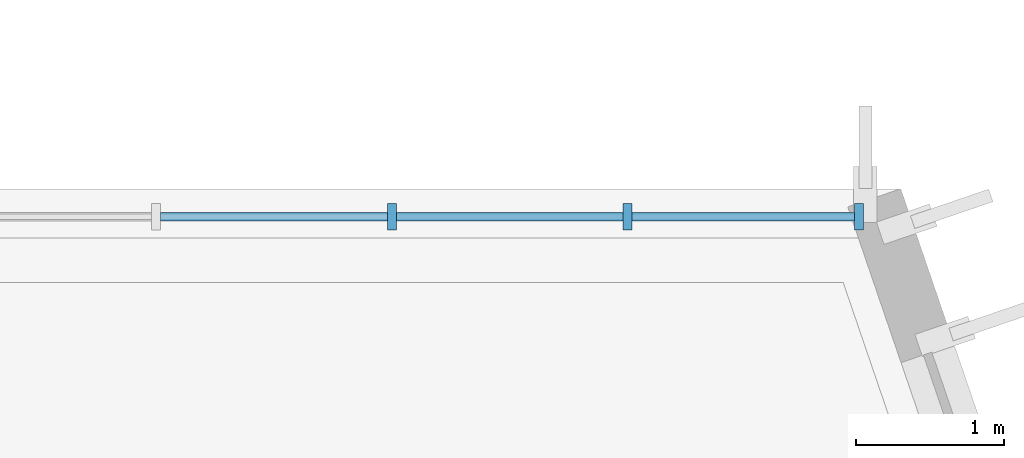
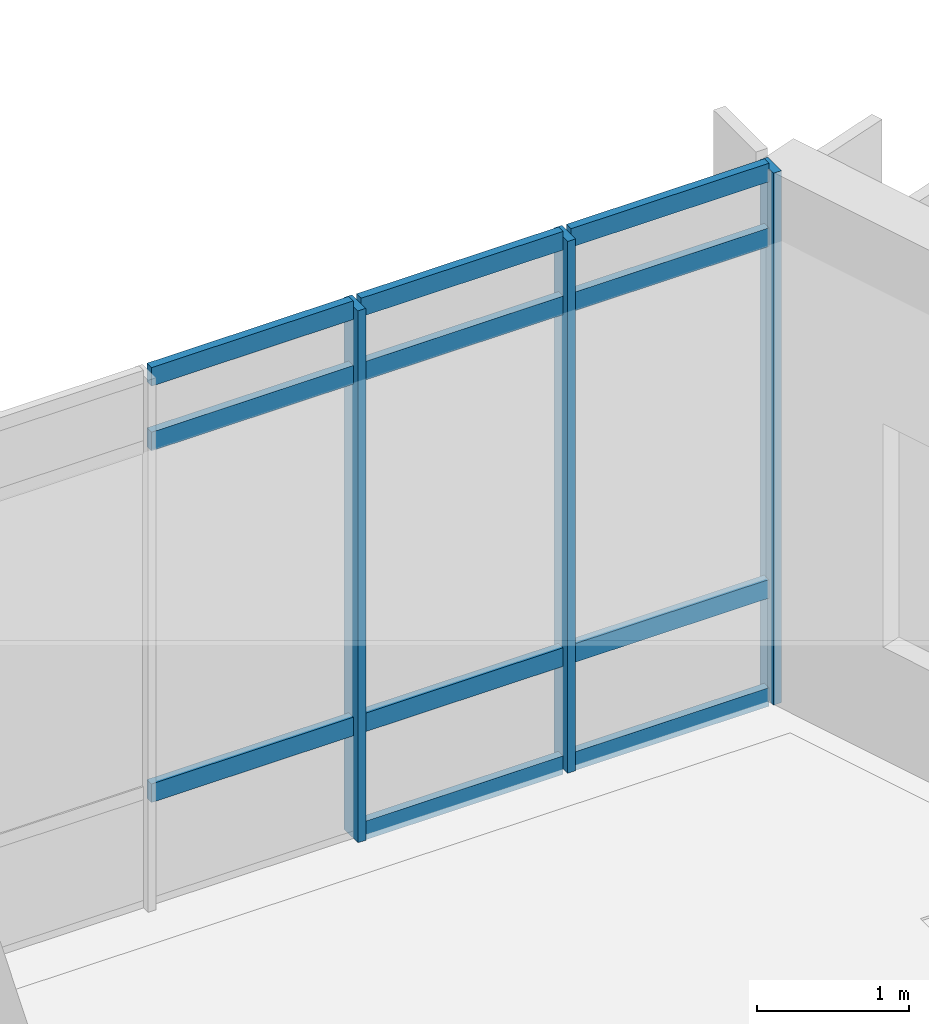
# One storey, part 28 of 62: 14 members, 1 element without a shape of its own.
"""IFC4 building model written with IfcOpenShell, lengths in metres."""

from ifc_helpers import new_model, si_unit, direction, frame, origin, origin_2d, place, context, subcontext, project, spatial, rectangle, extrude, material, material_profile, profile_set, type_object, element, aggregate, save


model = new_model("IFC4")

# Units and contexts
model_context = context("Model", 3, precision=1e-05, world=origin(), true_north=direction((0.0, 1.0)))
body_context = subcontext(model_context, "Body", "Model", "MODEL_VIEW")
ifc_project = project(units=[si_unit("LENGTHUNIT", "METRE"), si_unit("AREAUNIT", "SQUARE_METRE"), si_unit("VOLUMEUNIT", "CUBIC_METRE"), si_unit("PLANEANGLEUNIT", "RADIAN"), si_unit("MASSUNIT", "GRAM", prefix="KILO")], contexts=[model_context])

# Site, building, storey
site_placement = place(None, origin())
site = spatial("IfcSite", under=ifc_project, at=site_placement, CompositionType="ELEMENT")
building_placement = place(site_placement, origin())
building = spatial("IfcBuilding", under=site, at=building_placement, Name="Cymarion Research Institute", CompositionType="ELEMENT")
storey_placement = place(building_placement, frame((0.0, 0.0, 18.300048828125)))
storey = spatial("IfcBuildingStorey", under=building, at=storey_placement, Name="L04", CompositionType="ELEMENT", Elevation=18.300048828125)

# Curtain wall, members
ifc_material_1 = material(Name="Anodised aluminium unitised curtain wall with Low-E glazing", Category="aluminium")
curtain_wall_type = type_object("IfcCurtainWallType", Name="UNITISED CURTAIN WALL CW36 6390X4280", PredefinedType="NOTDEFINED", material=ifc_material_1)
curtain_wall_placement = place(storey_placement, origin())
curtain_wall = element("IfcCurtainWall", 1, at=curtain_wall_placement, inside=storey, type_object=curtain_wall_type, Name="L04 V1 unitised curtain wall CW36 #173", PredefinedType="NOTDEFINED")
ifc_material_2 = material(Name="Anodised aluminium framing", Category="aluminium")
ifc_material_profile_1 = material_profile(ifc_material_2, rectangle(XDim=0.06005859375, YDim=0.179931640625, at=origin_2d()), Name="ALU MULLION 60x180")
ifc_profile_set_1 = profile_set([ifc_material_profile_1], Name="Anodised aluminium framing")
member_type_1 = type_object("IfcMemberType", Name="CURTAIN WALL MULLION ML01 60X180", PredefinedType="MULLION", material=ifc_profile_set_1)
member_1_placement = place(storey_placement, frame((164.116455078125, 41.31005859375, 0.0), z_axis=(0.0, 0.0, 1.0), x_axis=(-1.0, 0.0, 0.0)))
member_1 = element("IfcMember", 2, at=member_1_placement, type_object=member_type_1, Name="CW36 mullion 1", PredefinedType="MULLION", context=body_context, shape_type="SweptSolid", body=[
    extrude(rectangle(XDim=0.06005859375, YDim=0.179931640625, at=origin_2d()), origin(), (0.0, 0.0, 1.0), 4.280029296875),
])
member_2_placement = place(storey_placement, frame((162.5498046875, 41.31005859375, 0.0), z_axis=(0.0, 0.0, 1.0), x_axis=(-1.0, 0.0, 0.0)))
member_2 = element("IfcMember", 3, at=member_2_placement, type_object=member_type_1, Name="CW36 mullion 2", PredefinedType="MULLION", context=body_context, shape_type="SweptSolid", body=[
    extrude(rectangle(XDim=0.06005859375, YDim=0.179931640625, at=origin_2d()), origin(), (0.0, 0.0, 1.0), 4.280029296875),
])
member_3_placement = place(storey_placement, frame((160.953125, 41.31005859375, 0.0), z_axis=(0.0, 0.0, 1.0), x_axis=(-1.0, 0.0, 0.0)))
member_3 = element("IfcMember", 4, at=member_3_placement, type_object=member_type_1, Name="CW36 mullion 3", PredefinedType="MULLION", context=body_context, shape_type="SweptSolid", body=[
    extrude(rectangle(XDim=0.06005859375, YDim=0.179931640625, at=origin_2d()), origin(), (0.0, 0.0, 1.0), 4.280029296875),
])
ifc_material_profile_2 = material_profile(ifc_material_2, rectangle(XDim=0.06005859375, YDim=0.14990234375, at=origin_2d()), Name="ALU TRANSOM 60x150")
ifc_profile_set_2 = profile_set([ifc_material_profile_2], Name="Anodised aluminium framing")
member_type_2 = type_object("IfcMemberType", Name="CURTAIN WALL TRANSOM TR01 60X150", PredefinedType="USERDEFINED", material=ifc_profile_set_2)
member_4_placement = place(storey_placement, frame((164.08642578125, 41.31005859375, 0.030029296875), z_axis=(-1.0, 0.0, 0.0), x_axis=(0.0, -1.0, 0.0)))
member_4 = element("IfcMember", 5, at=member_4_placement, type_object=member_type_2, Name="CW36 transom 1.1", ObjectType="TRANSOM", PredefinedType="USERDEFINED", context=body_context, shape_type="SweptSolid", body=[
    extrude(rectangle(XDim=0.06005859375, YDim=0.14990234375, at=origin_2d()), origin(), (0.0, 0.0, 1.0), 1.506591796875),
])
member_5_placement = place(storey_placement, frame((164.08642578125, 41.31005859375, 0.89990234375), z_axis=(-1.0, 0.0, 0.0), x_axis=(0.0, -1.0, 0.0)))
member_5 = element("IfcMember", 6, at=member_5_placement, type_object=member_type_2, Name="CW36 transom 1.2", ObjectType="TRANSOM", PredefinedType="USERDEFINED", context=body_context, shape_type="SweptSolid", body=[
    extrude(rectangle(XDim=0.06005859375, YDim=0.14990234375, at=origin_2d()), origin(), (0.0, 0.0, 1.0), 1.506591796875),
])
member_6_placement = place(storey_placement, frame((164.08642578125, 41.31005859375, 3.72998046875), z_axis=(-1.0, 0.0, 0.0), x_axis=(0.0, -1.0, 0.0)))
member_6 = element("IfcMember", 7, at=member_6_placement, type_object=member_type_2, Name="CW36 transom 1.3", ObjectType="TRANSOM", PredefinedType="USERDEFINED", context=body_context, shape_type="SweptSolid", body=[
    extrude(rectangle(XDim=0.06005859375, YDim=0.14990234375, at=origin_2d()), origin(), (0.0, 0.0, 1.0), 1.506591796875),
])
member_7_placement = place(storey_placement, frame((164.08642578125, 41.31005859375, 4.25), z_axis=(-1.0, 0.0, 0.0), x_axis=(0.0, -1.0, 0.0)))
member_7 = element("IfcMember", 8, at=member_7_placement, type_object=member_type_2, Name="CW36 transom 1.4", ObjectType="TRANSOM", PredefinedType="USERDEFINED", context=body_context, shape_type="SweptSolid", body=[
    extrude(rectangle(XDim=0.06005859375, YDim=0.14990234375, at=origin_2d()), origin(), (0.0, 0.0, 1.0), 1.506591796875),
])
member_8_placement = place(storey_placement, frame((162.519775390625, 41.31005859375, 0.030029296875), z_axis=(-1.0, 0.0, 0.0), x_axis=(0.0, -1.0, 0.0)))
member_8 = element("IfcMember", 9, at=member_8_placement, type_object=member_type_2, Name="CW36 transom 2.1", ObjectType="TRANSOM", PredefinedType="USERDEFINED", context=body_context, shape_type="SweptSolid", body=[
    extrude(rectangle(XDim=0.06005859375, YDim=0.14990234375, at=origin_2d()), origin(), (0.0, 0.0, 1.0), 1.53662109375),
])
member_9_placement = place(storey_placement, frame((162.519775390625, 41.31005859375, 0.89990234375), z_axis=(-1.0, 0.0, 0.0), x_axis=(0.0, -1.0, 0.0)))
member_9 = element("IfcMember", 10, at=member_9_placement, type_object=member_type_2, Name="CW36 transom 2.2", ObjectType="TRANSOM", PredefinedType="USERDEFINED", context=body_context, shape_type="SweptSolid", body=[
    extrude(rectangle(XDim=0.06005859375, YDim=0.14990234375, at=origin_2d()), origin(), (0.0, 0.0, 1.0), 1.53662109375),
])
member_10_placement = place(storey_placement, frame((162.519775390625, 41.31005859375, 3.72998046875), z_axis=(-1.0, 0.0, 0.0), x_axis=(0.0, -1.0, 0.0)))
member_10 = element("IfcMember", 11, at=member_10_placement, type_object=member_type_2, Name="CW36 transom 2.3", ObjectType="TRANSOM", PredefinedType="USERDEFINED", context=body_context, shape_type="SweptSolid", body=[
    extrude(rectangle(XDim=0.06005859375, YDim=0.14990234375, at=origin_2d()), origin(), (0.0, 0.0, 1.0), 1.53662109375),
])
member_11_placement = place(storey_placement, frame((162.519775390625, 41.31005859375, 4.25), z_axis=(-1.0, 0.0, 0.0), x_axis=(0.0, -1.0, 0.0)))
member_11 = element("IfcMember", 12, at=member_11_placement, type_object=member_type_2, Name="CW36 transom 2.4", ObjectType="TRANSOM", PredefinedType="USERDEFINED", context=body_context, shape_type="SweptSolid", body=[
    extrude(rectangle(XDim=0.06005859375, YDim=0.14990234375, at=origin_2d()), origin(), (0.0, 0.0, 1.0), 1.53662109375),
])
member_12_placement = place(storey_placement, frame((160.923095703125, 41.31005859375, 0.89990234375), z_axis=(-1.0, 0.0, 0.0), x_axis=(0.0, -1.0, 0.0)))
member_12 = element("IfcMember", 13, at=member_12_placement, type_object=member_type_2, Name="CW36 transom 3.2", ObjectType="TRANSOM", PredefinedType="USERDEFINED", context=body_context, shape_type="SweptSolid", body=[
    extrude(rectangle(XDim=0.06005859375, YDim=0.14990234375, at=origin_2d()), origin(), (0.0, 0.0, 1.0), 1.53662109375),
])
member_13_placement = place(storey_placement, frame((160.923095703125, 41.31005859375, 3.72998046875), z_axis=(-1.0, 0.0, 0.0), x_axis=(0.0, -1.0, 0.0)))
member_13 = element("IfcMember", 14, at=member_13_placement, type_object=member_type_2, Name="CW36 transom 3.3", ObjectType="TRANSOM", PredefinedType="USERDEFINED", context=body_context, shape_type="SweptSolid", body=[
    extrude(rectangle(XDim=0.06005859375, YDim=0.14990234375, at=origin_2d()), origin(), (0.0, 0.0, 1.0), 1.53662109375),
])
member_14_placement = place(storey_placement, frame((160.923095703125, 41.31005859375, 4.25), z_axis=(-1.0, 0.0, 0.0), x_axis=(0.0, -1.0, 0.0)))
member_14 = element("IfcMember", 15, at=member_14_placement, type_object=member_type_2, Name="CW36 transom 3.4", ObjectType="TRANSOM", PredefinedType="USERDEFINED", context=body_context, shape_type="SweptSolid", body=[
    extrude(rectangle(XDim=0.06005859375, YDim=0.14990234375, at=origin_2d()), origin(), (0.0, 0.0, 1.0), 1.53662109375),
])
aggregate(curtain_wall, [member_1, member_2, member_3, member_4, member_5, member_6, member_7, member_8, member_9, member_10, member_11, member_12, member_13, member_14])

save(model, "model.ifc")
